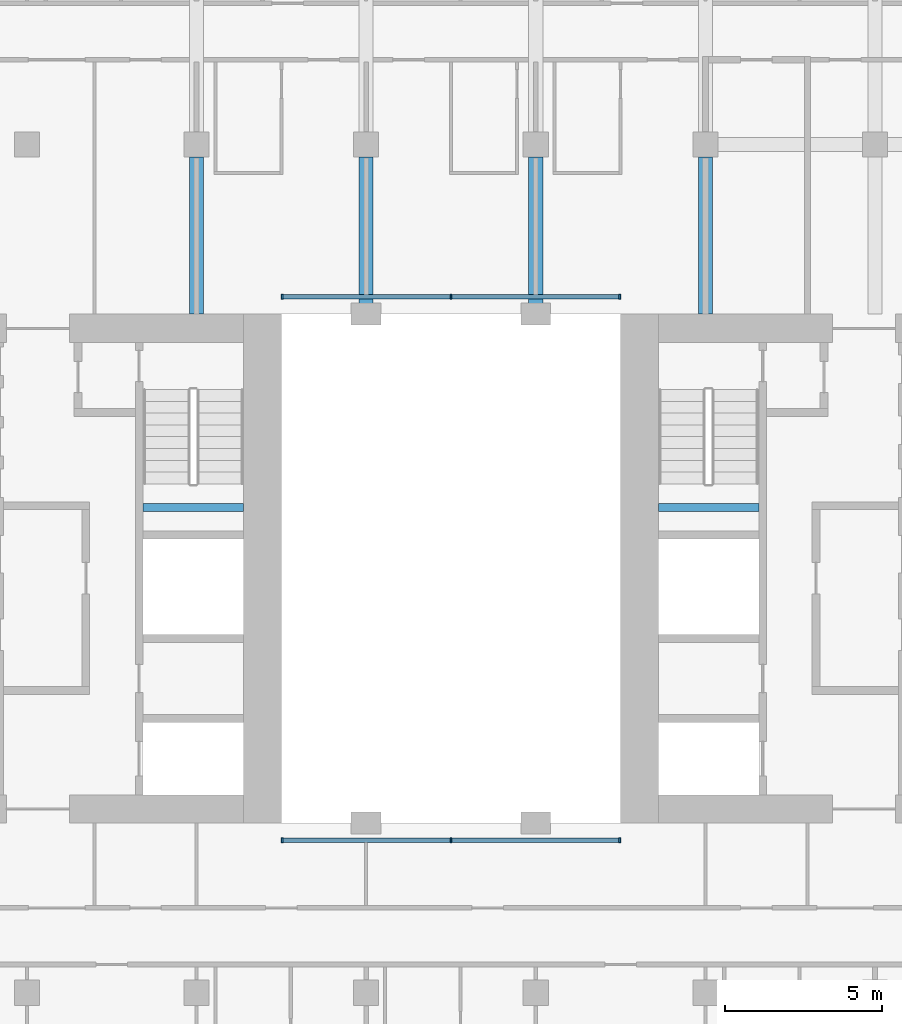
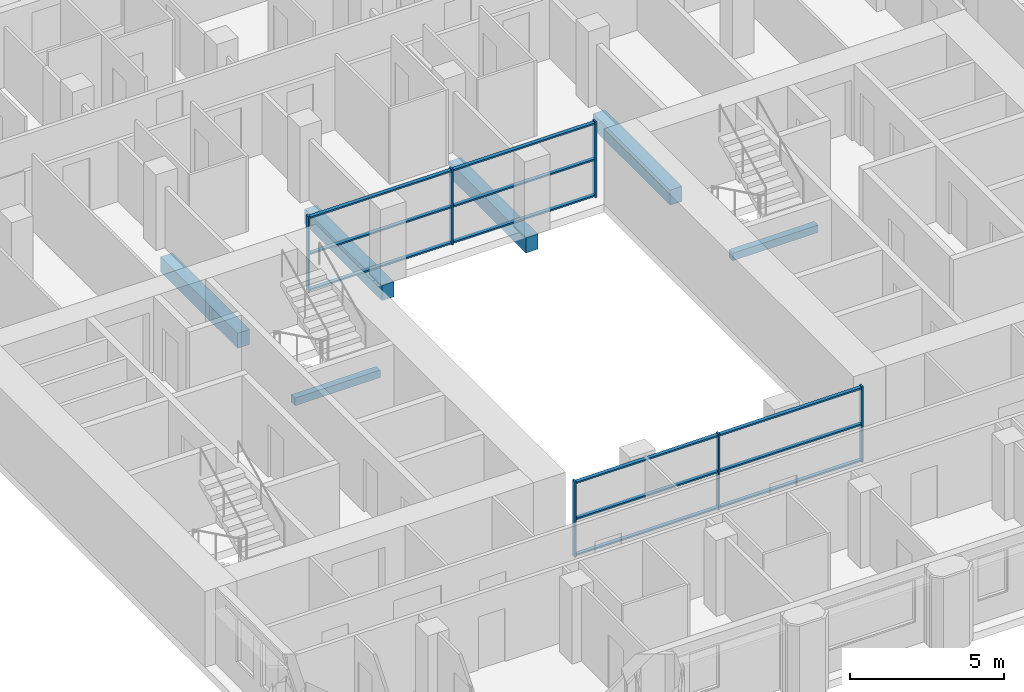
# One storey, part 2 of 13: 18 members, 6 beams, 2 elements without a shape of their own.
"""IFC4 building model written with IfcOpenShell, lengths in metres."""

from ifc_helpers import new_model, si_unit, direction, frame, origin, origin_2d, place, context, subcontext, project, spatial, rectangle, extrude, material, material_profile, profile_set, type_object, element, aggregate, save


model = new_model("IFC4")

# Units and contexts
model_context = context("Model", 3, precision=1e-05, world=origin(), true_north=direction((0.0, 1.0)))
body_context = subcontext(model_context, "Body", "Model", "MODEL_VIEW")
ifc_project = project(units=[si_unit("LENGTHUNIT", "METRE"), si_unit("AREAUNIT", "SQUARE_METRE"), si_unit("VOLUMEUNIT", "CUBIC_METRE"), si_unit("PLANEANGLEUNIT", "RADIAN"), si_unit("MASSUNIT", "GRAM", prefix="KILO")], contexts=[model_context])

# Site, building, storey
site_placement = place(None, origin())
site = spatial("IfcSite", under=ifc_project, at=site_placement, CompositionType="ELEMENT")
building_placement = place(site_placement, origin())
building = spatial("IfcBuilding", under=site, at=building_placement, Name="Tabaq Tower and Sports Hall", CompositionType="ELEMENT")
storey_placement = place(building_placement, frame((0.0, 0.0, 200.5)))
storey = spatial("IfcBuildingStorey", under=building, at=storey_placement, Name="L49", CompositionType="ELEMENT", Elevation=200.5)

# Curtain wall, members
ifc_material_1 = material(Name="Aluminium alloy 6063-T6 framed glazing", Category="aluminium")
curtain_wall_type = type_object("IfcCurtainWallType", Name="CW1 curtain wall", PredefinedType="USERDEFINED", material=ifc_material_1)
curtain_wall_1_placement = place(storey_placement, origin())
curtain_wall_1 = element("IfcCurtainWall", 1, at=curtain_wall_1_placement, inside=storey, type_object=curtain_wall_type, Name="Atrium glazing L49 S", ObjectType="ATRIUM ENCLOSURE", PredefinedType="USERDEFINED")
ifc_material_2 = material(Name="Aluminium alloy 6063-T6", Category="aluminium")
ifc_material_profile_1 = material_profile(ifc_material_2, rectangle(XDim=0.159912109375, YDim=0.06005859375, at=origin_2d()), Name="MULLION 160x60")
ifc_profile_set_1 = profile_set([ifc_material_profile_1], Name="Aluminium alloy 6063-T6")
member_type_1 = type_object("IfcMemberType", Name="CW1 mullion 160x60", PredefinedType="MULLION", material=ifc_profile_set_1)
member_1_placement = place(storey_placement, frame((18.929931640625, 15.64990234375, 0.0), z_axis=(0.0, 0.0, 1.0), x_axis=(0.0, 1.0, 0.0)))
member_1 = element("IfcMember", 2, at=member_1_placement, type_object=member_type_1, Name="CW1 mullion 1", PredefinedType="MULLION", context=body_context, shape_type="SweptSolid", body=[
    extrude(rectangle(XDim=0.159912109375, YDim=0.06005859375, at=origin_2d()), origin(), (0.0, 0.0, 1.0), 3.0),
])
member_2_placement = place(storey_placement, frame((24.300048828125, 15.64990234375, 0.0), z_axis=(0.0, 0.0, 1.0), x_axis=(0.0, 1.0, 0.0)))
member_2 = element("IfcMember", 3, at=member_2_placement, type_object=member_type_1, Name="CW1 mullion 2", PredefinedType="MULLION", context=body_context, shape_type="SweptSolid", body=[
    extrude(rectangle(XDim=0.159912109375, YDim=0.06005859375, at=origin_2d()), origin(), (0.0, 0.0, 1.0), 3.0),
])
member_3_placement = place(storey_placement, frame((29.669921875, 15.64990234375, 0.0), z_axis=(0.0, 0.0, 1.0), x_axis=(0.0, 1.0, 0.0)))
member_3 = element("IfcMember", 4, at=member_3_placement, type_object=member_type_1, Name="CW1 mullion 3", PredefinedType="MULLION", context=body_context, shape_type="SweptSolid", body=[
    extrude(rectangle(XDim=0.159912109375, YDim=0.06005859375, at=origin_2d()), origin(), (0.0, 0.0, 1.0), 3.0),
])

curtain_wall_2_placement = place(storey_placement, origin())
curtain_wall_2 = element("IfcCurtainWall", 5, at=curtain_wall_2_placement, inside=storey, type_object=curtain_wall_type, Name="Atrium glazing L49 N", ObjectType="ATRIUM ENCLOSURE", PredefinedType="USERDEFINED")
member_4_placement = place(storey_placement, frame((18.929931640625, 32.949951171875, 0.0), z_axis=(0.0, 0.0, 1.0), x_axis=(0.0, 1.0, 0.0)))
member_4 = element("IfcMember", 6, at=member_4_placement, type_object=member_type_1, Name="CW1 mullion 1", PredefinedType="MULLION", context=body_context, shape_type="SweptSolid", body=[
    extrude(rectangle(XDim=0.159912109375, YDim=0.06005859375, at=origin_2d()), origin(), (0.0, 0.0, 1.0), 3.0),
])
member_5_placement = place(storey_placement, frame((24.300048828125, 32.949951171875, 0.0), z_axis=(0.0, 0.0, 1.0), x_axis=(0.0, 1.0, 0.0)))
member_5 = element("IfcMember", 7, at=member_5_placement, type_object=member_type_1, Name="CW1 mullion 2", PredefinedType="MULLION", context=body_context, shape_type="SweptSolid", body=[
    extrude(rectangle(XDim=0.159912109375, YDim=0.06005859375, at=origin_2d()), origin(), (0.0, 0.0, 1.0), 3.0),
])
member_6_placement = place(storey_placement, frame((29.669921875, 32.949951171875, 0.0), z_axis=(0.0, 0.0, 1.0), x_axis=(0.0, 1.0, 0.0)))
member_6 = element("IfcMember", 8, at=member_6_placement, type_object=member_type_1, Name="CW1 mullion 3", PredefinedType="MULLION", context=body_context, shape_type="SweptSolid", body=[
    extrude(rectangle(XDim=0.159912109375, YDim=0.06005859375, at=origin_2d()), origin(), (0.0, 0.0, 1.0), 3.0),
])

# Member
ifc_material_3 = material(Name="Aluminium alloy 6063-T6", Category="aluminium")
ifc_material_profile_2 = material_profile(ifc_material_3, rectangle(XDim=0.139892578125, YDim=0.06005859375, at=origin_2d()), Name="TRANSOM 140x60")
ifc_profile_set_2 = profile_set([ifc_material_profile_2], Name="Aluminium alloy 6063-T6")
member_type_2 = type_object("IfcMemberType", Name="CW1 transom 140x60", PredefinedType="USERDEFINED", material=ifc_profile_set_2)
member_7_placement = place(storey_placement, frame((18.9599609375, 15.64990234375, 0.070068359375), z_axis=(1.0, 0.0, 0.0), x_axis=(0.0, 1.0, 0.0)))
member_7 = element("IfcMember", 9, at=member_7_placement, type_object=member_type_2, Name="CW1 transom 1.1", ObjectType="TRANSOM", PredefinedType="USERDEFINED", context=body_context, shape_type="SweptSolid", body=[
    extrude(rectangle(XDim=0.139892578125, YDim=0.06005859375, at=origin_2d()), origin(), (0.0, 0.0, 1.0), 5.31005859375),
])

member_8_placement = place(storey_placement, frame((18.9599609375, 15.64990234375, 1.5), z_axis=(1.0, 0.0, 0.0), x_axis=(0.0, 1.0, 0.0)))
member_8 = element("IfcMember", 10, at=member_8_placement, type_object=member_type_2, Name="CW1 transom 1.2", ObjectType="TRANSOM", PredefinedType="USERDEFINED", context=body_context, shape_type="SweptSolid", body=[
    extrude(rectangle(XDim=0.139892578125, YDim=0.06005859375, at=origin_2d()), origin(), (0.0, 0.0, 1.0), 5.31005859375),
])

member_9_placement = place(storey_placement, frame((18.9599609375, 15.64990234375, 2.929931640625), z_axis=(1.0, 0.0, 0.0), x_axis=(0.0, 1.0, 0.0)))
member_9 = element("IfcMember", 11, at=member_9_placement, type_object=member_type_2, Name="CW1 transom 1.3", ObjectType="TRANSOM", PredefinedType="USERDEFINED", context=body_context, shape_type="SweptSolid", body=[
    extrude(rectangle(XDim=0.139892578125, YDim=0.06005859375, at=origin_2d()), origin(), (0.0, 0.0, 1.0), 5.31005859375),
])

member_10_placement = place(storey_placement, frame((24.330078125, 15.64990234375, 0.070068359375), z_axis=(1.0, 0.0, 0.0), x_axis=(0.0, 1.0, 0.0)))
member_10 = element("IfcMember", 12, at=member_10_placement, type_object=member_type_2, Name="CW1 transom 2.1", ObjectType="TRANSOM", PredefinedType="USERDEFINED", context=body_context, shape_type="SweptSolid", body=[
    extrude(rectangle(XDim=0.139892578125, YDim=0.06005859375, at=origin_2d()), origin(), (0.0, 0.0, 1.0), 5.309814453125),
])

member_11_placement = place(storey_placement, frame((24.330078125, 15.64990234375, 1.5), z_axis=(1.0, 0.0, 0.0), x_axis=(0.0, 1.0, 0.0)))
member_11 = element("IfcMember", 13, at=member_11_placement, type_object=member_type_2, Name="CW1 transom 2.2", ObjectType="TRANSOM", PredefinedType="USERDEFINED", context=body_context, shape_type="SweptSolid", body=[
    extrude(rectangle(XDim=0.139892578125, YDim=0.06005859375, at=origin_2d()), origin(), (0.0, 0.0, 1.0), 5.309814453125),
])

member_12_placement = place(storey_placement, frame((24.330078125, 15.64990234375, 2.929931640625), z_axis=(1.0, 0.0, 0.0), x_axis=(0.0, 1.0, 0.0)))
member_12 = element("IfcMember", 14, at=member_12_placement, type_object=member_type_2, Name="CW1 transom 2.3", ObjectType="TRANSOM", PredefinedType="USERDEFINED", context=body_context, shape_type="SweptSolid", body=[
    extrude(rectangle(XDim=0.139892578125, YDim=0.06005859375, at=origin_2d()), origin(), (0.0, 0.0, 1.0), 5.309814453125),
])

aggregate(curtain_wall_1, [member_1, member_2, member_3, member_7, member_8, member_9, member_10, member_11, member_12])

member_13_placement = place(storey_placement, frame((18.9599609375, 32.949951171875, 0.070068359375), z_axis=(1.0, 0.0, 0.0), x_axis=(0.0, 1.0, 0.0)))
member_13 = element("IfcMember", 15, at=member_13_placement, type_object=member_type_2, Name="CW1 transom 1.1", ObjectType="TRANSOM", PredefinedType="USERDEFINED", context=body_context, shape_type="SweptSolid", body=[
    extrude(rectangle(XDim=0.139892578125, YDim=0.06005859375, at=origin_2d()), origin(), (0.0, 0.0, 1.0), 5.31005859375),
])

member_14_placement = place(storey_placement, frame((18.9599609375, 32.949951171875, 1.5), z_axis=(1.0, 0.0, 0.0), x_axis=(0.0, 1.0, 0.0)))
member_14 = element("IfcMember", 16, at=member_14_placement, type_object=member_type_2, Name="CW1 transom 1.2", ObjectType="TRANSOM", PredefinedType="USERDEFINED", context=body_context, shape_type="SweptSolid", body=[
    extrude(rectangle(XDim=0.139892578125, YDim=0.06005859375, at=origin_2d()), origin(), (0.0, 0.0, 1.0), 5.31005859375),
])

member_15_placement = place(storey_placement, frame((18.9599609375, 32.949951171875, 2.929931640625), z_axis=(1.0, 0.0, 0.0), x_axis=(0.0, 1.0, 0.0)))
member_15 = element("IfcMember", 17, at=member_15_placement, type_object=member_type_2, Name="CW1 transom 1.3", ObjectType="TRANSOM", PredefinedType="USERDEFINED", context=body_context, shape_type="SweptSolid", body=[
    extrude(rectangle(XDim=0.139892578125, YDim=0.06005859375, at=origin_2d()), origin(), (0.0, 0.0, 1.0), 5.31005859375),
])

member_16_placement = place(storey_placement, frame((24.330078125, 32.949951171875, 0.070068359375), z_axis=(1.0, 0.0, 0.0), x_axis=(0.0, 1.0, 0.0)))
member_16 = element("IfcMember", 18, at=member_16_placement, type_object=member_type_2, Name="CW1 transom 2.1", ObjectType="TRANSOM", PredefinedType="USERDEFINED", context=body_context, shape_type="SweptSolid", body=[
    extrude(rectangle(XDim=0.139892578125, YDim=0.06005859375, at=origin_2d()), origin(), (0.0, 0.0, 1.0), 5.309814453125),
])

member_17_placement = place(storey_placement, frame((24.330078125, 32.949951171875, 1.5), z_axis=(1.0, 0.0, 0.0), x_axis=(0.0, 1.0, 0.0)))
member_17 = element("IfcMember", 19, at=member_17_placement, type_object=member_type_2, Name="CW1 transom 2.2", ObjectType="TRANSOM", PredefinedType="USERDEFINED", context=body_context, shape_type="SweptSolid", body=[
    extrude(rectangle(XDim=0.139892578125, YDim=0.06005859375, at=origin_2d()), origin(), (0.0, 0.0, 1.0), 5.309814453125),
])

member_18_placement = place(storey_placement, frame((24.330078125, 32.949951171875, 2.929931640625), z_axis=(1.0, 0.0, 0.0), x_axis=(0.0, 1.0, 0.0)))
member_18 = element("IfcMember", 20, at=member_18_placement, type_object=member_type_2, Name="CW1 transom 2.3", ObjectType="TRANSOM", PredefinedType="USERDEFINED", context=body_context, shape_type="SweptSolid", body=[
    extrude(rectangle(XDim=0.139892578125, YDim=0.06005859375, at=origin_2d()), origin(), (0.0, 0.0, 1.0), 5.309814453125),
])

aggregate(curtain_wall_2, [member_4, member_5, member_6, member_13, member_14, member_15, member_16, member_17, member_18])

# Beams
ifc_material_4 = material(Name="Concrete C40/50", Category="concrete")
ifc_material_profile_3 = material_profile(ifc_material_4, rectangle(XDim=0.449951171875, YDim=0.60009765625, at=origin_2d()), Name="CB 450x600")
ifc_profile_set_3 = profile_set([ifc_material_profile_3], Name="Concrete C40/50")
beam_type_1 = type_object("IfcBeamType", Name="PT CANTILEVER BEAM CB 450x600 C40/50", PredefinedType="BEAM", material=ifc_profile_set_3)
for number, where, z_axis, x_axis, name in (
    (21, (16.199951171875, 37.39990234375, -0.60009765625), (0.0, -1.0, 0.0), (1.0, 0.0, 0.0), "Cantilever Beam L49 N3 span 3"),
    (22, (21.60009765625, 37.39990234375, -0.60009765625), (0.0, -1.0, 0.0), (1.0, 0.0, 0.0), "Cantilever Beam L49 N4 span 3"),
    (23, (27.0, 37.39990234375, -0.60009765625), (0.0, -1.0, 0.0), (1.0, 0.0, 0.0), "Cantilever Beam L49 N5 span 3"),
    (24, (32.39990234375, 37.39990234375, -0.60009765625), (0.0, -1.0, 0.0), (1.0, 0.0, 0.0), "Cantilever Beam L49 N6 span 3"),
):
    element("IfcBeam", number, at=place(storey_placement, frame(where, z_axis=z_axis, x_axis=x_axis)), inside=storey, type_object=beam_type_1, Name=name, PredefinedType="BEAM", context=body_context, shape_type="SweptSolid", body=[
        extrude(rectangle(XDim=0.449951171875, YDim=0.60009765625, at=origin_2d()), origin(), (0.0, 0.0, 1.0), 5.0),
    ])
ifc_material_5 = material(Name="Concrete C40/50", Category="concrete")
ifc_material_profile_4 = material_profile(ifc_material_5, rectangle(XDim=0.25, YDim=0.300048828125, at=origin_2d()), Name="RC 250x300")
ifc_profile_set_4 = profile_set([ifc_material_profile_4], Name="Concrete C40/50")
beam_type_2 = type_object("IfcBeamType", Name="Stair landing beam 250x300", PredefinedType="BEAM", material=ifc_profile_set_4)
beam_1_placement = place(storey_placement, frame((14.5, 26.25, 1.300048828125), z_axis=(1.0, 0.0, 0.0), x_axis=(0.0, 1.0, 0.0)))
element("IfcBeam", 25, at=beam_1_placement, inside=storey, type_object=beam_type_2, Name="L49 ST2 landing beam 1", PredefinedType="BEAM", context=body_context, shape_type="SweptSolid", body=[
    extrude(rectangle(XDim=0.25, YDim=0.300048828125, at=origin_2d()), origin(), (0.0, 0.0, 1.0), 3.199951171875),
])
beam_2_placement = place(storey_placement, frame((30.89990234375, 26.25, 1.300048828125), z_axis=(1.0, 0.0, 0.0), x_axis=(0.0, 1.0, 0.0)))
element("IfcBeam", 26, at=beam_2_placement, inside=storey, type_object=beam_type_2, Name="L49 ST4 landing beam 1", PredefinedType="BEAM", context=body_context, shape_type="SweptSolid", body=[
    extrude(rectangle(XDim=0.25, YDim=0.300048828125, at=origin_2d()), origin(), (0.0, 0.0, 1.0), 3.2001953125),
])

save(model, "model.ifc")
